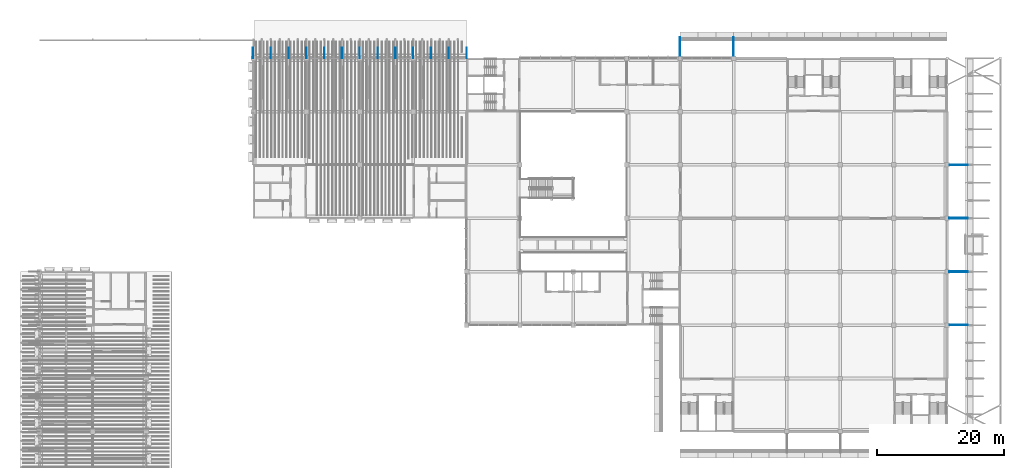
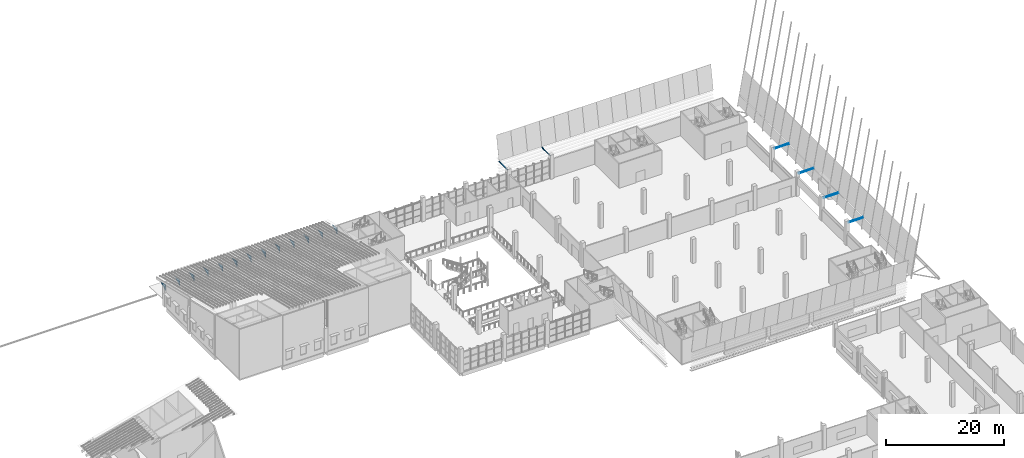
# One storey, part 33 of 82: 19 discrete accessories.
"""IFC4 building model written with IfcOpenShell, lengths in metres."""

from ifc_helpers import new_model, si_unit, direction, frame, origin, origin_2d, place, context, subcontext, project, spatial, polyline, rectangle, outline, extrude, material, type_object, element, save


model = new_model("IFC4")

# Units and contexts
model_context = context("Model", 3, precision=1e-05, world=origin(), true_north=direction((0.0, 1.0)))
body_context = subcontext(model_context, "Body", "Model", "MODEL_VIEW")
ifc_project = project(units=[si_unit("LENGTHUNIT", "METRE"), si_unit("AREAUNIT", "SQUARE_METRE"), si_unit("VOLUMEUNIT", "CUBIC_METRE"), si_unit("PLANEANGLEUNIT", "RADIAN"), si_unit("MASSUNIT", "GRAM", prefix="KILO")], contexts=[model_context])

# Site, building, storey
site_placement = place(None, origin())
site = spatial("IfcSite", under=ifc_project, at=site_placement, CompositionType="ELEMENT")
building_placement = place(site_placement, origin())
building = spatial("IfcBuilding", under=site, at=building_placement, Name="Almond Square Museum", CompositionType="ELEMENT")
storey_placement = place(building_placement, frame((0.0, 0.0, 20.0)))
storey = spatial("IfcBuildingStorey", under=building, at=storey_placement, Name="L03", CompositionType="ELEMENT", Elevation=20.0)

# Discrete accessories
ifc_material_1 = material(Name="Structural steel S355", Category="steel")
discrete_accessory_type_1 = type_object("IfcDiscreteAccessoryType", Name="Eave knee bracket", PredefinedType="BRACKET", material=ifc_material_1)
for number, where, z_axis, x_axis, name in (
    (1, (39.60009765625, 109.159912109375, 4.40283203125), (1.0, 0.0, 0.0), (0.0, 0.0, -1.0), "Eave knee bracket N.109.1"),
    (2, (42.39990234375, 109.159912109375, 4.40283203125), (1.0, 0.0, 0.0), (0.0, 0.0, -1.0), "Eave knee bracket N.109.2"),
    (3, (45.199951171875, 109.159912109375, 4.40283203125), (1.0, 0.0, 0.0), (0.0, 0.0, -1.0), "Eave knee bracket N.109.3"),
    (4, (48.0, 109.159912109375, 4.40283203125), (1.0, 0.0, 0.0), (0.0, 0.0, -1.0), "Eave knee bracket N.109.4"),
    (5, (50.800048828125, 109.159912109375, 4.40283203125), (1.0, 0.0, 0.0), (0.0, 0.0, -1.0), "Eave knee bracket N.109.5"),
    (6, (53.60009765625, 109.159912109375, 4.40283203125), (1.0, 0.0, 0.0), (0.0, 0.0, -1.0), "Eave knee bracket N.109.6"),
    (7, (56.39990234375, 109.159912109375, 4.40283203125), (1.0, 0.0, 0.0), (0.0, 0.0, -1.0), "Eave knee bracket N.109.7"),
    (8, (59.199951171875, 109.159912109375, 4.40283203125), (1.0, 0.0, 0.0), (0.0, 0.0, -1.0), "Eave knee bracket N.109.8"),
    (9, (62.0, 109.159912109375, 4.40283203125), (1.0, 0.0, 0.0), (0.0, 0.0, -1.0), "Eave knee bracket N.109.9"),
    (10, (64.800048828125, 109.159912109375, 4.40283203125), (1.0, 0.0, 0.0), (0.0, 0.0, -1.0), "Eave knee bracket N.109.10"),
    (11, (67.60009765625, 109.159912109375, 4.40283203125), (1.0, 0.0, 0.0), (0.0, 0.0, -1.0), "Eave knee bracket N.109.11"),
    (12, (70.39990234375, 109.159912109375, 4.40283203125), (1.0, 0.0, 0.0), (0.0, 0.0, -1.0), "Eave knee bracket N.109.12"),
    (13, (73.199951171875, 109.159912109375, 4.40283203125), (1.0, 0.0, 0.0), (0.0, 0.0, -1.0), "Eave knee bracket N.109.13"),
):
    element("IfcDiscreteAccessory", number, at=place(storey_placement, frame(where, z_axis=z_axis, x_axis=x_axis)), inside=storey, type_object=discrete_accessory_type_1, Name=name, PredefinedType="BRACKET", context=body_context, shape_type="SweptSolid", body=[
        extrude(outline(polyline([(0.0, 0.0), (1.199951171875, 0.0), (0.390625, 1.64013671875), (0.0, 0.0)])), frame((0.0, 0.0, -0.01513671875)), (0.0, 0.0, 1.0), 0.030029296875),
    ])
ifc_material_2 = material(Name="Stainless steel", Category="steel")
discrete_accessory_type_2 = type_object("IfcDiscreteAccessoryType", Name="Louvre post bracket", PredefinedType="BRACKET", material=ifc_material_2)
for number, where, z_axis, x_axis, name in (
    (14, (106.800048828125, 111.023681640625, 4.33984375), (0.0, 0.0, 1.0), (1.0, 0.0, 0.0), "Bracket louvre post"),
    (15, (115.199951171875, 111.023681640625, 4.33984375), (0.0, 0.0, 1.0), (1.0, 0.0, 0.0), "Bracket louvre post"),
):
    element("IfcDiscreteAccessory", number, at=place(storey_placement, frame(where, z_axis=z_axis, x_axis=x_axis)), inside=storey, type_object=discrete_accessory_type_2, Name=name, PredefinedType="BRACKET", context=body_context, shape_type="SweptSolid", body=[
        extrude(rectangle(XDim=0.10009765625, YDim=2.85107421875, at=origin_2d()), origin(), (0.0, 0.0, 1.0), 0.1201171875),
    ])
discrete_accessory_1_placement = place(storey_placement, frame((150.62353515625, 67.199951171875, 4.33984375), z_axis=(0.0, 0.0, 1.0), x_axis=(1.0, 0.0, 0.0)))
element("IfcDiscreteAccessory", 16, at=discrete_accessory_1_placement, inside=storey, type_object=discrete_accessory_type_2, Name="Bracket louvre post", PredefinedType="BRACKET", context=body_context, shape_type="SweptSolid", body=[
    extrude(rectangle(XDim=2.85107421875, YDim=0.10009765625, at=origin_2d()), origin(), (0.0, 0.0, 1.0), 0.1201171875),
])
for number, where, z_axis, x_axis, name in (
    (17, (150.5986328125, 75.60009765625, 4.33984375), (0.0, 0.0, 1.0), (1.0, 0.0, 0.0), "Bracket louvre post"),
    (18, (150.5986328125, 84.0, 4.33984375), (0.0, 0.0, 1.0), (1.0, 0.0, 0.0), "Bracket louvre post"),
):
    element("IfcDiscreteAccessory", number, at=place(storey_placement, frame(where, z_axis=z_axis, x_axis=x_axis)), inside=storey, type_object=discrete_accessory_type_2, Name=name, PredefinedType="BRACKET", context=body_context, shape_type="SweptSolid", body=[
        extrude(rectangle(XDim=2.901123046875, YDim=0.10009765625, at=origin_2d()), origin(), (0.0, 0.0, 1.0), 0.1201171875),
    ])
discrete_accessory_2_placement = place(storey_placement, frame((150.62353515625, 92.39990234375, 4.33984375), z_axis=(0.0, 0.0, 1.0), x_axis=(1.0, 0.0, 0.0)))
element("IfcDiscreteAccessory", 19, at=discrete_accessory_2_placement, inside=storey, type_object=discrete_accessory_type_2, Name="Bracket louvre post", PredefinedType="BRACKET", context=body_context, shape_type="SweptSolid", body=[
    extrude(rectangle(XDim=2.85107421875, YDim=0.10009765625, at=origin_2d()), origin(), (0.0, 0.0, 1.0), 0.1201171875),
])

save(model, "model.ifc")
